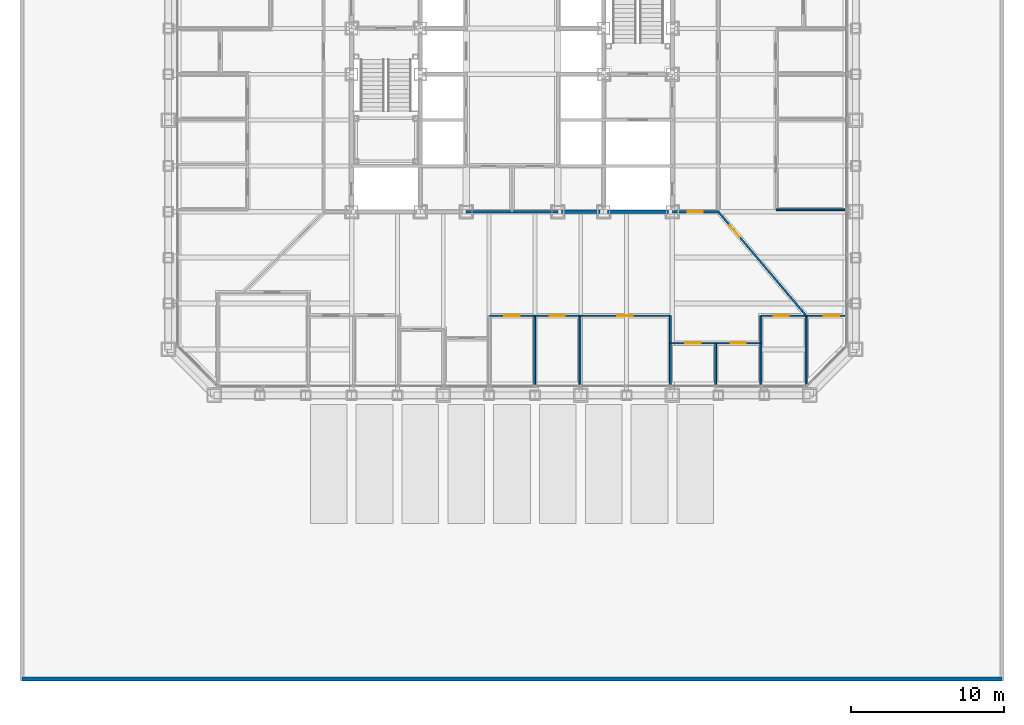
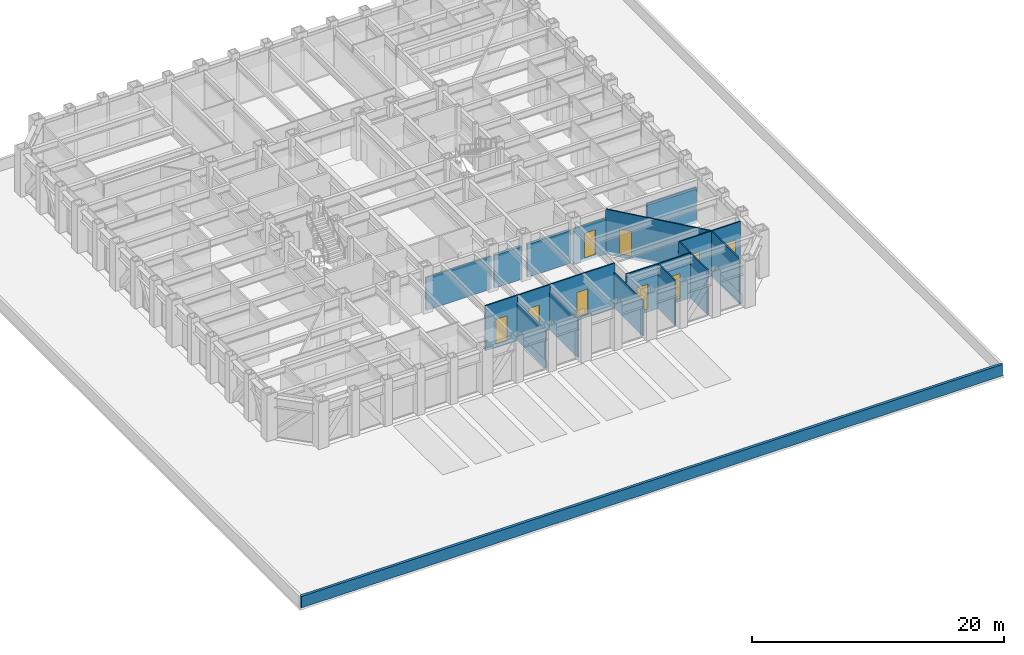
# One storey, part 9 of 18: 20 walls, 9 doors, 9 openings.
"""IFC4 building model written with IfcOpenShell, lengths in metres."""

import ifcopenshell
import ifcopenshell.guid

model = None  # the IFC model being written
_history = None  # IfcOwnerHistory: only IFC2X3 demands one
_inside = {}  # id of a spatial element -> (the spatial element, [elements in it])
_under = {}  # id of a project, library or spatial element -> (it, [spatial elements below it])
_declared = {}  # id of a project -> (the project, [libraries it declares])
_typed = {}  # id of a type object -> (the type object, [elements of that type])
_made_of = {}  # id of a material, layer set ... -> (it, [elements and type objects made of it])


def new_model(schema):
    """Start an empty IFC model of exactly this schema.

    Asked for "IFC4X3", IfcOpenShell would pick the latest addendum, in which some entities
    have other attributes; the version numbers below select the first issue.
    IFC2X3 requires an IfcOwnerHistory on every rooted entity: one is made here for all.
    """
    global model, _history
    if schema == "IFC4X3":
        model = ifcopenshell.file(schema_version=(4, 3, 0, 0))
    else:
        model = ifcopenshell.file(schema=schema)
    _inside.clear()
    _under.clear()
    _declared.clear()
    _typed.clear()
    _made_of.clear()
    _history = None
    if model.schema == "IFC2X3":
        org = make("IfcOrganization", Name="unknown")
        user = make(
            "IfcPersonAndOrganization",
            ThePerson=make("IfcPerson", FamilyName="unknown"),
            TheOrganization=org,
        )
        app = make(
            "IfcApplication",
            ApplicationDeveloper=org,
            Version="unknown",
            ApplicationFullName="unknown",
            ApplicationIdentifier="unknown",
        )
        _history = make(
            "IfcOwnerHistory",
            OwningUser=user,
            OwningApplication=app,
            ChangeAction="ADDED",
            CreationDate=0,
        )
    return model


def make(cls, **values):
    """One entity of the class cls with the attributes given. An attribute that is None is left unset."""
    return model.create_entity(
        cls, **{name: value for name, value in values.items() if value is not None}
    )


def rooted(cls, **values):
    """An entity with a GlobalId (a new one), such as an element, a storey or a relation."""
    return make(cls, GlobalId=ifcopenshell.guid.new(), OwnerHistory=_history, **values)


def si_unit(unit_type, name, prefix=None):
    """IfcSIUnit, for example si_unit("LENGTHUNIT", "METRE", prefix="MILLI")."""
    return make("IfcSIUnit", UnitType=unit_type, Prefix=prefix, Name=name)


def assignment(units):
    """IfcUnitAssignment: the units of a project."""
    return None if units is None else make("IfcUnitAssignment", Units=units)


def point(xyz):
    """IfcCartesianPoint."""
    return None if xyz is None else make("IfcCartesianPoint", Coordinates=xyz)


def direction(xyz):
    """IfcDirection."""
    return None if xyz is None else make("IfcDirection", DirectionRatios=xyz)


def frame(location, z_axis=None, x_axis=None):
    """IfcAxis2Placement3D, a coordinate frame: its origin and axes. An axis left out is left unset."""
    return make(
        "IfcAxis2Placement3D",
        Location=point(location),
        Axis=direction(z_axis),
        RefDirection=direction(x_axis),
    )


def frame_2d(location, x_axis=None):
    """IfcAxis2Placement2D, a coordinate frame in the plane: its origin and x axis."""
    return make(
        "IfcAxis2Placement2D", Location=point(location), RefDirection=direction(x_axis)
    )


def origin():
    """The frame at (0, 0, 0) with its axes left unset."""
    return frame((0.0, 0.0, 0.0))


def place(relative_to, where):
    """IfcLocalPlacement: puts the frame where relative to a parent placement (None: the world)."""
    return make(
        "IfcLocalPlacement", PlacementRelTo=relative_to, RelativePlacement=where
    )


def context(
    kind, dimensions, precision=None, world=None, true_north=None, identifier=None
):
    """IfcGeometricRepresentationContext, for example the 3D "Model" context."""
    return make(
        "IfcGeometricRepresentationContext",
        ContextIdentifier=identifier,
        ContextType=kind,
        CoordinateSpaceDimension=dimensions,
        Precision=precision,
        WorldCoordinateSystem=world,
        TrueNorth=true_north,
    )


def subcontext(parent, identifier, kind, view, scale=None):
    """IfcGeometricRepresentationSubContext, for example "Body" below "Model"."""
    return make(
        "IfcGeometricRepresentationSubContext",
        ContextIdentifier=identifier,
        ContextType=kind,
        ParentContext=parent,
        TargetScale=scale,
        TargetView=view,
    )


def project(units=None, contexts=None):
    """IfcProject with its units and contexts."""
    return rooted(
        "IfcProject",
        Name="project",
        RepresentationContexts=contexts,
        UnitsInContext=assignment(units),
    )


def spatial(cls, under=None, at=None, **own):
    """A site, building, storey or space (cls), placed at a placement, below another one or the project."""
    s = rooted(cls, ObjectPlacement=at, **own)
    if under is not None:
        _under.setdefault(under.id(), (under, []))[1].append(s)
    return s


def profile(cls, at=None, kind="AREA", **sizes):
    """A parametric profile (cls). Its sizes go by their IFC names, for example OverallWidth=200.0."""
    return make(cls, ProfileType=kind, Position=at, **sizes)


def rectangle(**sizes):
    """IfcRectangleProfileDef."""
    return profile("IfcRectangleProfileDef", **sizes)


def extrude(swept, where, along, depth):
    """IfcExtrudedAreaSolid: the profile swept, set in the frame where, extruded along a direction by depth."""
    return make(
        "IfcExtrudedAreaSolid",
        SweptArea=swept,
        Position=where,
        ExtrudedDirection=direction(along),
        Depth=depth,
    )


def shape(context_of_items, identifier, shape_type, items):
    """IfcShapeRepresentation: the items that make up one representation, for example the "Body"."""
    return make(
        "IfcShapeRepresentation",
        ContextOfItems=context_of_items,
        RepresentationIdentifier=identifier,
        RepresentationType=shape_type,
        Items=items,
    )


def material(Name=None, Category=None):
    """IfcMaterial."""
    return make("IfcMaterial", Name=Name, Category=Category)


def layer(
    of_material, thickness, ventilated=None, Name=None, Category=None, Priority=None
):
    """IfcMaterialLayer: one layer of a wall or slab, of a material (None: an air gap)."""
    return make(
        "IfcMaterialLayer",
        Material=of_material,
        LayerThickness=thickness,
        IsVentilated=ventilated,
        Name=Name,
        Category=Category,
        Priority=Priority,
    )


def layer_set(layers, Name=None):
    """IfcMaterialLayerSet."""
    return make("IfcMaterialLayerSet", MaterialLayers=layers, LayerSetName=Name)


def made_of(thing, what):
    """Note that an element or type object is made of a material, layer set ...; save() writes the relation."""
    if what is not None:
        _made_of.setdefault(what.id(), (what, []))[1].append(thing)
    return thing


def type_object(cls, material=None, **own):
    """A type object (cls), such as IfcWallType, which elements share."""
    return made_of(rooted(cls, **own), material)


def element(
    cls,
    number,
    at=None,
    inside=None,
    cuts=None,
    type_object=None,
    material=None,
    context=None,
    identifier="Body",
    shape_type=None,
    held_by="IfcProductDefinitionShape",
    body=None,
    shapes=None,
    **own,
):
    """One element of the class cls, such as IfcWall. Its Tag is "e" and its number.

    at: its placement. inside: the storey or other place that contains it. cuts: it is an
    opening in that element (IfcRelVoidsElement). A single representation is given by context,
    identifier, shape_type and body (its items); several are given by shapes. held_by: the class
    of the entity that holds the representations. save() writes the other relations.
    """
    e = rooted(cls, Tag="e%d" % number, ObjectPlacement=at, **own)
    if body is not None:
        shapes = [shape(context, identifier, shape_type, body)]
    if shapes is not None:
        e.Representation = make(held_by, Representations=shapes)
    if inside is not None:
        _inside.setdefault(inside.id(), (inside, []))[1].append(e)
    if cuts is not None:
        rooted(
            "IfcRelVoidsElement", RelatingBuildingElement=cuts, RelatedOpeningElement=e
        )
    if type_object is not None:
        _typed.setdefault(type_object.id(), (type_object, []))[1].append(e)
    return made_of(e, material)


def fill(opening, filler):
    """IfcRelFillsElement: the door or window that sits in an opening."""
    return rooted(
        "IfcRelFillsElement",
        RelatingOpeningElement=opening,
        RelatedBuildingElement=filler,
    )


def aggregate(whole, parts):
    """IfcRelAggregates: a whole, such as a stair, and the parts it consists of."""
    return rooted("IfcRelAggregates", RelatingObject=whole, RelatedObjects=parts)


def save(model, path):
    """Write the relations noted so far, then the file.

    IfcRelAggregates (storeys below a building ...), IfcRelContainedInSpatialStructure (elements
    in a storey), IfcRelDefinesByType, IfcRelAssociatesMaterial and IfcRelDeclares: one each for
    every whole, place, type object, material and project.
    """
    for whole, parts in _under.values():
        aggregate(whole, parts)
    for where, things in _inside.values():
        rooted(
            "IfcRelContainedInSpatialStructure",
            RelatedElements=things,
            RelatingStructure=where,
        )
    for kind, things in _typed.values():
        rooted("IfcRelDefinesByType", RelatedObjects=things, RelatingType=kind)
    for what, things in _made_of.values():
        rooted("IfcRelAssociatesMaterial", RelatedObjects=things, RelatingMaterial=what)
    for by, libraries in _declared.values():
        rooted("IfcRelDeclares", RelatingContext=by, RelatedDefinitions=libraries)
    model.write(path)


model = new_model("IFC4")

# Units and contexts
model_context = context("Model", 3, precision=1e-05, world=origin(), true_north=direction((0.0, 1.0)))
body_context = subcontext(model_context, "Body", "Model", "MODEL_VIEW")
ifc_project = project(units=[si_unit("LENGTHUNIT", "METRE"), si_unit("AREAUNIT", "SQUARE_METRE"), si_unit("VOLUMEUNIT", "CUBIC_METRE"), si_unit("PLANEANGLEUNIT", "RADIAN"), si_unit("MASSUNIT", "GRAM", prefix="KILO")], contexts=[model_context])

# Site, building, storey
site_placement = place(None, origin())
site = spatial("IfcSite", under=ifc_project, at=site_placement, CompositionType="ELEMENT")
building_placement = place(site_placement, origin())
building = spatial("IfcBuilding", under=site, at=building_placement, Name="Chuquiago Exchange Tower", CompositionType="ELEMENT")
storey_placement = place(building_placement, frame((0.0, 0.0, 24.300048828125)))
storey = spatial("IfcBuildingStorey", under=building, at=storey_placement, Name="L04", CompositionType="ELEMENT", Elevation=24.300048828125)

# Walls
ifc_material_1 = material(Name="Concrete masonry, fully grouted", Category="masonry")
ifc_layer_1 = layer(ifc_material_1, 0.25)
ifc_layer_set_1 = layer_set([ifc_layer_1], Name="W1 core wall 250")
wall_type_1 = type_object("IfcWallType", Name="W1 core wall 250", PredefinedType="SOLIDWALL", material=ifc_layer_set_1)
wall_1_placement = place(storey_placement, frame((25.75, 12.0, 0.0), z_axis=(0.0, 0.0, 1.0), x_axis=(1.0, 0.0, 0.0)))
element("IfcWall", 1, at=wall_1_placement, inside=storey, type_object=wall_type_1, Name="CW-L04-02-0", PredefinedType="SOLIDWALL", context=body_context, shape_type="SweptSolid", body=[
    extrude(rectangle(XDim=2.5, YDim=0.25, at=frame_2d((1.25, 0.0))), origin(), (0.0, 0.0, 1.0), 3.181396484375),
])
wall_2_placement = place(storey_placement, frame((28.75, 12.0, 0.0), z_axis=(0.0, 0.0, 1.0), x_axis=(1.0, 0.0, 0.0)))
element("IfcWall", 2, at=wall_2_placement, inside=storey, type_object=wall_type_1, Name="CW-L04-02-1", PredefinedType="SOLIDWALL", context=body_context, shape_type="SweptSolid", body=[
    extrude(rectangle(XDim=4.0, YDim=0.25, at=frame_2d((2.0, 0.0))), origin(), (0.0, 0.0, 1.0), 3.181396484375),
])

# Wall, opening, door
ifc_material_2 = material(Name="Gypsum board on steel studs, acoustic insulation", Category="steel")
ifc_layer_2 = layer(ifc_material_2, 0.14990234375)
ifc_layer_set_2 = layer_set([ifc_layer_2], Name="W11 corridor wall 150")
wall_type_2 = type_object("IfcWallType", Name="W11 corridor wall 150", PredefinedType="PARTITIONING", material=ifc_layer_set_2)
wall_3_placement = place(storey_placement, frame((33.0, 12.0, -0.300048828125), z_axis=(0.0, 0.0, 1.0), x_axis=(1.0, 0.0, 0.0)))
wall_3 = element("IfcWall", 3, at=wall_3_placement, inside=storey, type_object=wall_type_2, Name="PW-L04-GES0", PredefinedType="PARTITIONING", context=body_context, shape_type="SweptSolid", body=[
    extrude(rectangle(XDim=3.0, YDim=0.14990234375, at=frame_2d((1.5, 0.0))), origin(), (0.0, 0.0, 1.0), 3.4814453125),
])
opening_1_placement = place(wall_3_placement, frame((1.0, 0.0, 0.300048828125)))
opening_1 = element("IfcOpeningElement", 4, at=opening_1_placement, cuts=wall_3, Name="Opening L04-055", PredefinedType="OPENING", context=body_context, shape_type="SweptSolid", body=[
    extrude(rectangle(XDim=1.0, YDim=2.39990234375, at=frame_2d((0.5, 1.199951171875))), frame((0.0, 0.0849609375, 0.0), z_axis=(0.0, -1.0, 0.0), x_axis=(1.0, 0.0, 0.0)), (0.0, 0.0, 1.0), 0.169921875),
])
ifc_material_3 = material(Name="Timber door, laminate faced", Category="wood")
door_type_1 = type_object("IfcDoorType", Name="D9 room door 1000x2400", OperationType="SINGLE_SWING_LEFT", PredefinedType="DOOR", material=ifc_material_3)
door_1_placement = place(opening_1_placement, frame((1.0, 0.0, 0.0), z_axis=(0.0, 0.0, 1.0), x_axis=(-1.0, 0.0, 0.0)))
door_1 = element("IfcDoor", 5, at=door_1_placement, inside=storey, type_object=door_type_1, Name="Team area door", OperationType="SINGLE_SWING_RIGHT", OverallHeight=2.39990234375, OverallWidth=1.0, PredefinedType="DOOR", context=body_context, shape_type="SweptSolid", body=[
    extrude(rectangle(XDim=1.0, YDim=2.39990234375, at=frame_2d((0.5, 1.199951171875))), frame((0.0, 0.02490234375, 0.0), z_axis=(0.0, -1.0, 0.0), x_axis=(1.0, 0.0, 0.0)), (0.0, 0.0, 1.0), 0.050048828125),
])
fill(opening_1, door_1)

# Walls
ifc_material_4 = material(Name="Gypsum board on steel studs", Category="steel")
ifc_layer_3 = layer(ifc_material_4, 0.14990234375)
ifc_layer_set_3 = layer_set([ifc_layer_3], Name="W3 core partition 150")
wall_type_3 = type_object("IfcWallType", Name="W3 core partition 150", PredefinedType="PARTITIONING", material=ifc_layer_set_3)
wall_4_placement = place(storey_placement, frame((19.5, 12.0, 0.0), z_axis=(0.0, 0.0, 1.0), x_axis=(1.0, 0.0, 0.0)))
element("IfcWall", 6, at=wall_4_placement, inside=storey, type_object=wall_type_3, Name="CW-L04-TB", PredefinedType="PARTITIONING", context=body_context, shape_type="SweptSolid", body=[
    extrude(rectangle(XDim=6.0, YDim=0.14990234375, at=frame_2d((3.0, 0.0))), origin(), (0.0, 0.0, 1.0), 3.181396484375),
])
ifc_material_5 = material(Name="Gypsum board on steel studs", Category="steel")
ifc_layer_4 = layer(ifc_material_5, 0.1201171875)
ifc_layer_set_4 = layer_set([ifc_layer_4], Name="W4 partition 120")
wall_type_4 = type_object("IfcWallType", Name="W4 partition 120", PredefinedType="PARTITIONING", material=ifc_layer_set_4)
for number, where, z_axis, x_axis, name in (
    (7, (23.98095703125, 0.657470703125, -0.300048828125), (0.0, 0.0, 1.0), (0.0, 1.0, 0.0), "PW-L04-S02398"),
    (8, (26.942626953125, 0.657470703125, -0.300048828125), (0.0, 0.0, 1.0), (0.0, 1.0, 0.0), "PW-L04-S02694"),
):
    element("IfcWall", number, at=place(storey_placement, frame(where, z_axis=z_axis, x_axis=x_axis)), inside=storey, type_object=wall_type_4, Name=name, PredefinedType="PARTITIONING", context=body_context, shape_type="SweptSolid", body=[
        extrude(rectangle(XDim=4.54248046875, YDim=0.1201171875, at=frame_2d((2.271240234375, 0.0))), origin(), (0.0, 0.0, 1.0), 3.646484375),
    ])
wall_5_placement = place(storey_placement, frame((32.8662109375, 0.657470703125, -0.300048828125), z_axis=(0.0, 0.0, 1.0), x_axis=(0.0, 1.0, 0.0)))
element("IfcWall", 9, at=wall_5_placement, inside=storey, type_object=wall_type_4, Name="PW-L04-S03287", PredefinedType="PARTITIONING", context=body_context, shape_type="SweptSolid", body=[
    extrude(rectangle(XDim=4.54248046875, YDim=0.1201171875, at=frame_2d((2.271240234375, 0.0))), origin(), (0.0, 0.0, 1.0), 3.4814453125),
])
wall_6_placement = place(storey_placement, frame((35.827880859375, 0.657470703125, -0.300048828125), z_axis=(0.0, 0.0, 1.0), x_axis=(0.0, 1.0, 0.0)))
element("IfcWall", 10, at=wall_6_placement, inside=storey, type_object=wall_type_4, Name="PW-L04-S03583", PredefinedType="PARTITIONING", context=body_context, shape_type="SweptSolid", body=[
    extrude(rectangle(XDim=2.742431640625, YDim=0.1201171875, at=frame_2d((1.37109375, 0.0))), origin(), (0.0, 0.0, 1.0), 4.340087890625),
])
wall_7_placement = place(storey_placement, frame((38.789794921875, 0.657470703125, -0.300048828125), z_axis=(0.0, 0.0, 1.0), x_axis=(0.0, 1.0, 0.0)))
element("IfcWall", 11, at=wall_7_placement, inside=storey, type_object=wall_type_4, Name="PW-L04-S03879", PredefinedType="PARTITIONING", context=body_context, shape_type="SweptSolid", body=[
    extrude(rectangle(XDim=4.54248046875, YDim=0.1201171875, at=frame_2d((2.271240234375, 0.0))), origin(), (0.0, 0.0, 1.0), 4.340087890625),
])
wall_8_placement = place(storey_placement, frame((41.75146484375, 0.666015625, -0.300048828125), z_axis=(0.0, 0.0, 1.0), x_axis=(0.0, 1.0, 0.0)))
element("IfcWall", 12, at=wall_8_placement, inside=storey, type_object=wall_type_4, Name="PW-L04-S04175", PredefinedType="PARTITIONING", context=body_context, shape_type="SweptSolid", body=[
    extrude(rectangle(XDim=4.533935546875, YDim=0.1201171875, at=frame_2d((2.26708984375, 0.0))), origin(), (0.0, 0.0, 1.0), 4.340087890625),
])

# Wall, opening, door
wall_9_placement = place(storey_placement, frame((21.01904296875, 5.199951171875, -0.300048828125), z_axis=(0.0, 0.0, 1.0), x_axis=(1.0, 0.0, 0.0)))
wall_9 = element("IfcWall", 13, at=wall_9_placement, inside=storey, type_object=wall_type_4, Name="PW-L04-SF02102", PredefinedType="PARTITIONING", context=body_context, shape_type="SweptSolid", body=[
    extrude(rectangle(XDim=2.9619140625, YDim=0.1201171875, at=frame_2d((1.48095703125, 0.0))), origin(), (0.0, 0.0, 1.0), 4.340087890625),
])
opening_2_placement = place(wall_9_placement, frame((0.98095703125, 0.0, 0.300048828125)))
opening_2 = element("IfcOpeningElement", 14, at=opening_2_placement, cuts=wall_9, Name="Opening L04-026", PredefinedType="OPENING", context=body_context, shape_type="SweptSolid", body=[
    extrude(rectangle(XDim=1.0, YDim=2.39990234375, at=frame_2d((0.5, 1.199951171875))), frame((0.0, 0.070068359375, 0.0), z_axis=(0.0, -1.0, 0.0), x_axis=(1.0, 0.0, 0.0)), (0.0, 0.0, 1.0), 0.14013671875),
])
door_2_placement = place(opening_2_placement, frame((1.0, 0.0, 0.0), z_axis=(0.0, 0.0, 1.0), x_axis=(-1.0, 0.0, 0.0)))
door_2 = element("IfcDoor", 15, at=door_2_placement, inside=storey, type_object=door_type_1, Name="Office door", OperationType="SINGLE_SWING_LEFT", OverallHeight=2.39990234375, OverallWidth=1.0, PredefinedType="DOOR", context=body_context, shape_type="SweptSolid", body=[
    extrude(rectangle(XDim=1.0, YDim=2.39990234375, at=frame_2d((0.5, 1.199951171875))), frame((0.0, 0.02490234375, 0.0), z_axis=(0.0, -1.0, 0.0), x_axis=(1.0, 0.0, 0.0)), (0.0, 0.0, 1.0), 0.050048828125),
])
fill(opening_2, door_2)

wall_10_placement = place(storey_placement, frame((23.98095703125, 5.199951171875, -0.300048828125), z_axis=(0.0, 0.0, 1.0), x_axis=(1.0, 0.0, 0.0)))
wall_10 = element("IfcWall", 16, at=wall_10_placement, inside=storey, type_object=wall_type_4, Name="PW-L04-SF02398", PredefinedType="PARTITIONING", context=body_context, shape_type="SweptSolid", body=[
    extrude(rectangle(XDim=2.961669921875, YDim=0.1201171875, at=frame_2d((1.48095703125, 0.0))), origin(), (0.0, 0.0, 1.0), 4.340087890625),
])
opening_3_placement = place(wall_10_placement, frame((0.98095703125, 0.0, 0.300048828125)))
opening_3 = element("IfcOpeningElement", 17, at=opening_3_placement, cuts=wall_10, Name="Opening L04-027", PredefinedType="OPENING", context=body_context, shape_type="SweptSolid", body=[
    extrude(rectangle(XDim=1.0, YDim=2.39990234375, at=frame_2d((0.5, 1.199951171875))), frame((0.0, 0.070068359375, 0.0), z_axis=(0.0, -1.0, 0.0), x_axis=(1.0, 0.0, 0.0)), (0.0, 0.0, 1.0), 0.14013671875),
])
door_3_placement = place(opening_3_placement, frame((1.0, 0.0, 0.0), z_axis=(0.0, 0.0, 1.0), x_axis=(-1.0, 0.0, 0.0)))
door_3 = element("IfcDoor", 18, at=door_3_placement, inside=storey, type_object=door_type_1, Name="Office door", OperationType="SINGLE_SWING_LEFT", OverallHeight=2.39990234375, OverallWidth=1.0, PredefinedType="DOOR", context=body_context, shape_type="SweptSolid", body=[
    extrude(rectangle(XDim=1.0, YDim=2.39990234375, at=frame_2d((0.5, 1.199951171875))), frame((0.0, 0.02490234375, 0.0), z_axis=(0.0, -1.0, 0.0), x_axis=(1.0, 0.0, 0.0)), (0.0, 0.0, 1.0), 0.050048828125),
])
fill(opening_3, door_3)

wall_11_placement = place(storey_placement, frame((26.942626953125, 5.199951171875, -0.300048828125), z_axis=(0.0, 0.0, 1.0), x_axis=(1.0, 0.0, 0.0)))
wall_11 = element("IfcWall", 19, at=wall_11_placement, inside=storey, type_object=wall_type_4, Name="PW-L04-SF02694", PredefinedType="PARTITIONING", context=body_context, shape_type="SweptSolid", body=[
    extrude(rectangle(XDim=5.923583984375, YDim=0.1201171875, at=frame_2d((2.9619140625, 0.0))), origin(), (0.0, 0.0, 1.0), 4.340087890625),
])
opening_4_placement = place(wall_11_placement, frame((2.4619140625, 0.0, 0.300048828125)))
opening_4 = element("IfcOpeningElement", 20, at=opening_4_placement, cuts=wall_11, Name="Opening L04-028", PredefinedType="OPENING", context=body_context, shape_type="SweptSolid", body=[
    extrude(rectangle(XDim=1.0, YDim=2.39990234375, at=frame_2d((0.5, 1.199951171875))), frame((0.0, 0.070068359375, 0.0), z_axis=(0.0, -1.0, 0.0), x_axis=(1.0, 0.0, 0.0)), (0.0, 0.0, 1.0), 0.14013671875),
])
ifc_material_6 = material(Name="Timber frame door, full height glazed panel", Category="wood")
door_type_2 = type_object("IfcDoorType", Name="D14 glazed meeting room door 1000x2400", OperationType="SINGLE_SWING_LEFT", PredefinedType="DOOR", material=ifc_material_6)
door_4_placement = place(opening_4_placement, frame((1.0, 0.0, 0.0), z_axis=(0.0, 0.0, 1.0), x_axis=(-1.0, 0.0, 0.0)))
door_4 = element("IfcDoor", 21, at=door_4_placement, inside=storey, type_object=door_type_2, Name="Meeting room door", OperationType="SINGLE_SWING_RIGHT", OverallHeight=2.39990234375, OverallWidth=1.0, PredefinedType="DOOR", context=body_context, shape_type="SweptSolid", body=[
    extrude(rectangle(XDim=1.0, YDim=2.39990234375, at=frame_2d((0.5, 1.199951171875))), frame((0.0, 0.02490234375, 0.0), z_axis=(0.0, -1.0, 0.0), x_axis=(1.0, 0.0, 0.0)), (0.0, 0.0, 1.0), 0.050048828125),
])
fill(opening_4, door_4)

wall_12_placement = place(storey_placement, frame((32.8662109375, 3.39990234375, -0.300048828125), z_axis=(0.0, 0.0, 1.0), x_axis=(1.0, 0.0, 0.0)))
wall_12 = element("IfcWall", 22, at=wall_12_placement, inside=storey, type_object=wall_type_4, Name="PW-L04-SF03287", PredefinedType="PARTITIONING", context=body_context, shape_type="SweptSolid", body=[
    extrude(rectangle(XDim=2.961669921875, YDim=0.1201171875, at=frame_2d((1.48095703125, 0.0))), origin(), (0.0, 0.0, 1.0), 4.340087890625),
])
opening_5_placement = place(wall_12_placement, frame((0.98095703125, 0.0, 0.300048828125)))
opening_5 = element("IfcOpeningElement", 23, at=opening_5_placement, cuts=wall_12, Name="Opening L04-029", PredefinedType="OPENING", context=body_context, shape_type="SweptSolid", body=[
    extrude(rectangle(XDim=1.0, YDim=2.39990234375, at=frame_2d((0.5, 1.199951171875))), frame((0.0, 0.070068359375, 0.0), z_axis=(0.0, -1.0, 0.0), x_axis=(1.0, 0.0, 0.0)), (0.0, 0.0, 1.0), 0.14013671875),
])
door_5_placement = place(opening_5_placement, frame((1.0, 0.0, 0.0), z_axis=(0.0, 0.0, 1.0), x_axis=(-1.0, 0.0, 0.0)))
door_5 = element("IfcDoor", 24, at=door_5_placement, inside=storey, type_object=door_type_2, Name="Focus room door", OperationType="SINGLE_SWING_LEFT", OverallHeight=2.39990234375, OverallWidth=1.0, PredefinedType="DOOR", context=body_context, shape_type="SweptSolid", body=[
    extrude(rectangle(XDim=1.0, YDim=2.39990234375, at=frame_2d((0.5, 1.199951171875))), frame((0.0, 0.02490234375, 0.0), z_axis=(0.0, -1.0, 0.0), x_axis=(1.0, 0.0, 0.0)), (0.0, 0.0, 1.0), 0.050048828125),
])
fill(opening_5, door_5)

wall_13_placement = place(storey_placement, frame((35.827880859375, 3.39990234375, -0.300048828125), z_axis=(0.0, 0.0, 1.0), x_axis=(1.0, 0.0, 0.0)))
wall_13 = element("IfcWall", 25, at=wall_13_placement, inside=storey, type_object=wall_type_4, Name="PW-L04-SF03583", PredefinedType="PARTITIONING", context=body_context, shape_type="SweptSolid", body=[
    extrude(rectangle(XDim=2.9619140625, YDim=0.1201171875, at=frame_2d((1.48095703125, 0.0))), origin(), (0.0, 0.0, 1.0), 4.340087890625),
])
opening_6_placement = place(wall_13_placement, frame((0.98095703125, 0.0, 0.300048828125)))
opening_6 = element("IfcOpeningElement", 26, at=opening_6_placement, cuts=wall_13, Name="Opening L04-030", PredefinedType="OPENING", context=body_context, shape_type="SweptSolid", body=[
    extrude(rectangle(XDim=1.0, YDim=2.39990234375, at=frame_2d((0.5, 1.199951171875))), frame((0.0, 0.070068359375, 0.0), z_axis=(0.0, -1.0, 0.0), x_axis=(1.0, 0.0, 0.0)), (0.0, 0.0, 1.0), 0.14013671875),
])
door_6_placement = place(opening_6_placement, frame((1.0, 0.0, 0.0), z_axis=(0.0, 0.0, 1.0), x_axis=(-1.0, 0.0, 0.0)))
door_6 = element("IfcDoor", 27, at=door_6_placement, inside=storey, type_object=door_type_2, Name="Focus room door", OperationType="SINGLE_SWING_RIGHT", OverallHeight=2.39990234375, OverallWidth=1.0, PredefinedType="DOOR", context=body_context, shape_type="SweptSolid", body=[
    extrude(rectangle(XDim=1.0, YDim=2.39990234375, at=frame_2d((0.5, 1.199951171875))), frame((0.0, 0.02490234375, 0.0), z_axis=(0.0, -1.0, 0.0), x_axis=(1.0, 0.0, 0.0)), (0.0, 0.0, 1.0), 0.050048828125),
])
fill(opening_6, door_6)

wall_14_placement = place(storey_placement, frame((38.789794921875, 5.199951171875, -0.300048828125), z_axis=(0.0, 0.0, 1.0), x_axis=(1.0, 0.0, 0.0)))
wall_14 = element("IfcWall", 28, at=wall_14_placement, inside=storey, type_object=wall_type_4, Name="PW-L04-SF03879", PredefinedType="PARTITIONING", context=body_context, shape_type="SweptSolid", body=[
    extrude(rectangle(XDim=2.961669921875, YDim=0.1201171875, at=frame_2d((1.48095703125, 0.0))), origin(), (0.0, 0.0, 1.0), 4.340087890625),
])
opening_7_placement = place(wall_14_placement, frame((0.832763671875, 0.0, 0.300048828125)))
opening_7 = element("IfcOpeningElement", 29, at=opening_7_placement, cuts=wall_14, Name="Opening L04-031", PredefinedType="OPENING", context=body_context, shape_type="SweptSolid", body=[
    extrude(rectangle(XDim=1.0, YDim=2.39990234375, at=frame_2d((0.5, 1.199951171875))), frame((0.0, 0.070068359375, 0.0), z_axis=(0.0, -1.0, 0.0), x_axis=(1.0, 0.0, 0.0)), (0.0, 0.0, 1.0), 0.14013671875),
])
door_7_placement = place(opening_7_placement, frame((1.0, 0.0, 0.0), z_axis=(0.0, 0.0, 1.0), x_axis=(-1.0, 0.0, 0.0)))
door_7 = element("IfcDoor", 30, at=door_7_placement, inside=storey, type_object=door_type_1, Name="Office door", OperationType="SINGLE_SWING_RIGHT", OverallHeight=2.39990234375, OverallWidth=1.0, PredefinedType="DOOR", context=body_context, shape_type="SweptSolid", body=[
    extrude(rectangle(XDim=1.0, YDim=2.39990234375, at=frame_2d((0.5, 1.199951171875))), frame((0.0, 0.02490234375, 0.0), z_axis=(0.0, -1.0, 0.0), x_axis=(1.0, 0.0, 0.0)), (0.0, 0.0, 1.0), 0.050048828125),
])
fill(opening_7, door_7)

wall_15_placement = place(storey_placement, frame((41.75146484375, 5.199951171875, -0.300048828125), z_axis=(0.0, 0.0, 1.0), x_axis=(1.0, 0.0, 0.0)))
wall_15 = element("IfcWall", 31, at=wall_15_placement, inside=storey, type_object=wall_type_4, Name="PW-L04-SF04175", PredefinedType="PARTITIONING", context=body_context, shape_type="SweptSolid", body=[
    extrude(rectangle(XDim=2.616455078125, YDim=0.1201171875, at=frame_2d((1.30810546875, 0.0))), origin(), (0.0, 0.0, 1.0), 4.340087890625),
])
opening_8_placement = place(wall_15_placement, frame((1.156494140625, 0.0, 0.300048828125)))
opening_8 = element("IfcOpeningElement", 32, at=opening_8_placement, cuts=wall_15, Name="Opening L04-032", PredefinedType="OPENING", context=body_context, shape_type="SweptSolid", body=[
    extrude(rectangle(XDim=1.0, YDim=2.39990234375, at=frame_2d((0.5, 1.199951171875))), frame((0.0, 0.070068359375, 0.0), z_axis=(0.0, -1.0, 0.0), x_axis=(1.0, 0.0, 0.0)), (0.0, 0.0, 1.0), 0.14013671875),
])
door_8_placement = place(opening_8_placement, frame((1.0, 0.0, 0.0), z_axis=(0.0, 0.0, 1.0), x_axis=(-1.0, 0.0, 0.0)))
door_8 = element("IfcDoor", 33, at=door_8_placement, inside=storey, type_object=door_type_1, Name="Office door", OperationType="SINGLE_SWING_LEFT", OverallHeight=2.39990234375, OverallWidth=1.0, PredefinedType="DOOR", context=body_context, shape_type="SweptSolid", body=[
    extrude(rectangle(XDim=1.0, YDim=2.39990234375, at=frame_2d((0.5, 1.199951171875))), frame((0.0, 0.02490234375, 0.0), z_axis=(0.0, -1.0, 0.0), x_axis=(1.0, 0.0, 0.0)), (0.0, 0.0, 1.0), 0.050048828125),
])
fill(opening_8, door_8)

# Wall
wall_16_placement = place(storey_placement, frame((44.342529296875, 12.1337890625, -0.300048828125), z_axis=(0.0, 0.0, 1.0), x_axis=(-1.0, 0.0, 0.0)))
element("IfcWall", 34, at=wall_16_placement, inside=storey, type_object=wall_type_4, Name="PW-L04-E01213", PredefinedType="PARTITIONING", context=body_context, shape_type="SweptSolid", body=[
    extrude(rectangle(XDim=4.54248046875, YDim=0.1201171875, at=frame_2d((2.271240234375, 0.0))), origin(), (0.0, 0.0, 1.0), 3.4814453125),
])

# Wall, opening, door
wall_17_placement = place(storey_placement, frame((36.0, 12.0, -0.300048828125), z_axis=(0.0, 0.0, 1.0), x_axis=(0.645783707661, -0.763520401116, 0.0)))
wall_17 = element("IfcWall", 35, at=wall_17_placement, inside=storey, type_object=wall_type_4, Name="PW-L04-QSE", PredefinedType="PARTITIONING", context=body_context, shape_type="SweptSolid", body=[
    extrude(rectangle(XDim=8.90625, YDim=0.1201171875, at=frame_2d((4.453125, 0.0))), origin(), (0.0, 0.0, 1.0), 4.340087890625),
])
opening_9_placement = place(wall_17_placement, frame((1.166748046875, 0.0, 0.300048828125)))
opening_9 = element("IfcOpeningElement", 36, at=opening_9_placement, cuts=wall_17, Name="Opening L04-059", PredefinedType="OPENING", context=body_context, shape_type="SweptSolid", body=[
    extrude(rectangle(XDim=1.0, YDim=2.39990234375, at=frame_2d((0.5, 1.199951171875))), frame((0.0, 0.070068359375, 0.0), z_axis=(0.0, -1.0, 0.0), x_axis=(1.0, 0.0, 0.0)), (0.0, 0.0, 1.0), 0.14013671875),
])
door_9_placement = place(opening_9_placement, origin())
door_9 = element("IfcDoor", 37, at=door_9_placement, inside=storey, type_object=door_type_1, Name="Team area door", OperationType="SINGLE_SWING_LEFT", OverallHeight=2.39990234375, OverallWidth=1.0, PredefinedType="DOOR", context=body_context, shape_type="SweptSolid", body=[
    extrude(rectangle(XDim=1.0, YDim=2.39990234375, at=frame_2d((0.5, 1.199951171875))), frame((0.0, 0.02490234375, 0.0), z_axis=(0.0, -1.0, 0.0), x_axis=(1.0, 0.0, 0.0)), (0.0, 0.0, 1.0), 0.050048828125),
])
fill(opening_9, door_9)

# Wall
ifc_material_7 = material(Name="Concrete C30/37", Category="concrete")
ifc_layer_5 = layer(ifc_material_7, 0.25)
ifc_layer_set_5 = layer_set([ifc_layer_5], Name="W7 parapet 250")
wall_type_5 = type_object("IfcWallType", Name="W7 parapet 250", PredefinedType="PARAPET", material=ifc_layer_set_5)
wall_18_placement = place(storey_placement, frame((-9.574951171875, -18.574951171875, 0.0), z_axis=(0.0, 0.0, 1.0), x_axis=(1.0, 0.0, 0.0)))
element("IfcWall", 38, at=wall_18_placement, inside=storey, type_object=wall_type_5, Name="Podium roof parapet", PredefinedType="PARAPET", context=body_context, shape_type="SweptSolid", body=[
    extrude(rectangle(XDim=64.14990234375, YDim=0.25, at=frame_2d((32.074951171875, 0.0))), origin(), (0.0, 0.0, 1.0), 1.099853515625),
])

save(model, "model.ifc")
